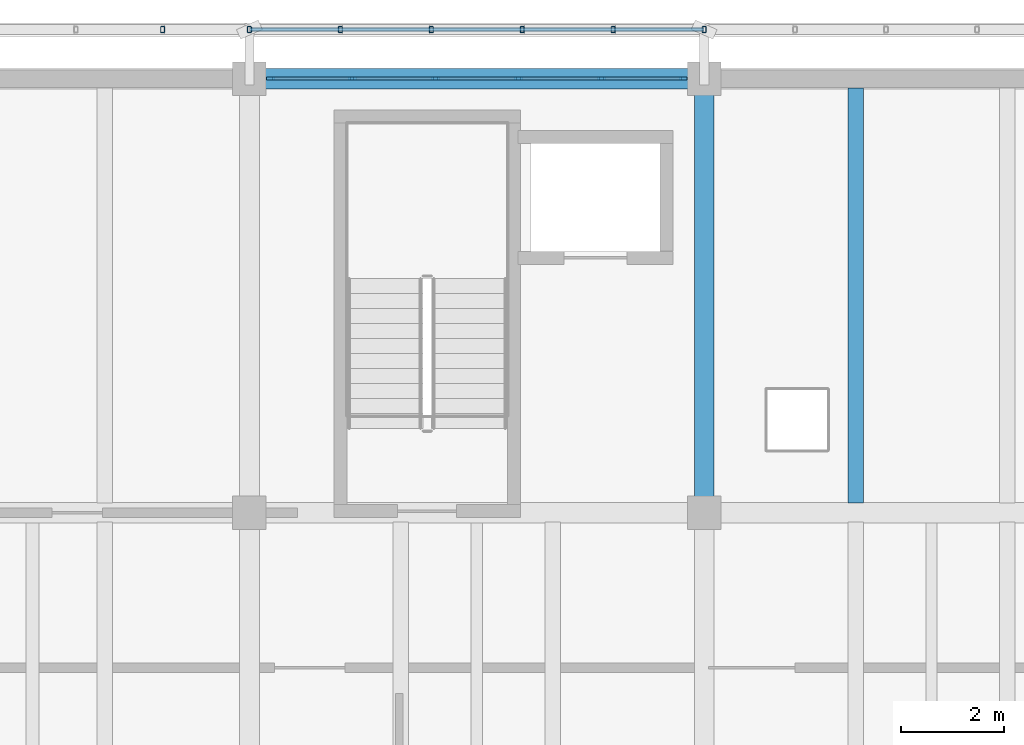
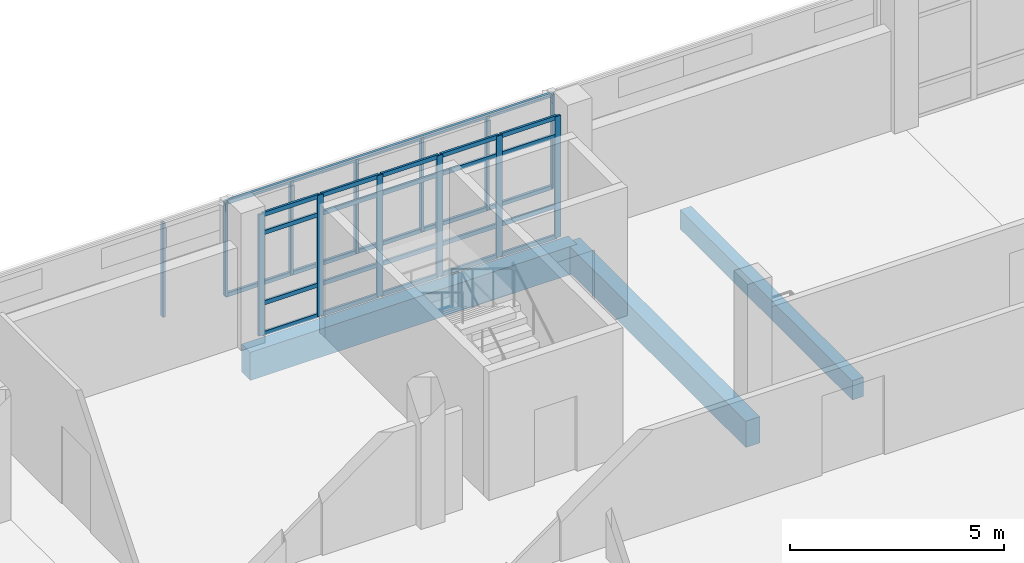
# One storey, part 63 of 117: 35 members, 3 beams, 1 element without a shape of its own.
"""IFC4 building model written with IfcOpenShell, lengths in metres."""

from ifc_helpers import new_model, si_unit, direction, frame, origin, origin_2d, place, context, subcontext, project, spatial, rectangle, hollow_rectangle, extrude, material, material_profile, profile_set, type_object, element, aggregate, save


model = new_model("IFC4")

# Units and contexts
model_context = context("Model", 3, precision=1e-05, world=origin(), true_north=direction((0.0, 1.0)))
body_context = subcontext(model_context, "Body", "Model", "MODEL_VIEW")
ifc_project = project(units=[si_unit("LENGTHUNIT", "METRE"), si_unit("AREAUNIT", "SQUARE_METRE"), si_unit("VOLUMEUNIT", "CUBIC_METRE"), si_unit("PLANEANGLEUNIT", "RADIAN"), si_unit("MASSUNIT", "GRAM", prefix="KILO")], contexts=[model_context])

# Site, building, storey
site_placement = place(None, origin())
site = spatial("IfcSite", under=ifc_project, at=site_placement, CompositionType="ELEMENT")
building_placement = place(site_placement, origin())
building = spatial("IfcBuilding", under=site, at=building_placement, Name="Cinderway Yard Community Centre", CompositionType="ELEMENT")
storey_placement = place(building_placement, frame((0.0, 0.0, 9.0)))
storey = spatial("IfcBuildingStorey", under=building, at=storey_placement, Name="L02", CompositionType="ELEMENT", Elevation=9.0)

# Curtain wall, members
ifc_material_1 = material(Name="Aluminium 6063-T6", Category="aluminium")
curtain_wall_type = type_object("IfcCurtainWallType", Name="ENV-CW-TYPE-30", PredefinedType="USERDEFINED", material=ifc_material_1)
curtain_wall_placement = place(storey_placement, origin())
curtain_wall = element("IfcCurtainWall", 1, at=curtain_wall_placement, inside=storey, type_object=curtain_wall_type, Name="V4 Street Curtain Wall ENV-CW-L02-ST-0148", ObjectType="GLAZED CURTAIN WALL", PredefinedType="USERDEFINED")
ifc_material_profile_1 = material_profile(ifc_material_1, rectangle(XDim=0.06005859375, YDim=0.159912109375, at=origin_2d()), Name="Aluminium 6063-T6")
ifc_profile_set_1 = profile_set([ifc_material_profile_1], Name="Aluminium 6063-T6")
member_type_1 = type_object("IfcMemberType", Name="ENV-CW-MULL-150", PredefinedType="MULLION", material=ifc_profile_set_1)
member_1_placement = place(storey_placement, frame((75.610107421875, 115.199951171875, 0.0), z_axis=(0.0, 0.0, 1.0), x_axis=(0.0, 1.0, 0.0)))
member_1 = element("IfcMember", 2, at=member_1_placement, type_object=member_type_1, Name="CW-30 mullion 1", PredefinedType="MULLION", context=body_context, shape_type="SweptSolid", body=[
    extrude(rectangle(XDim=0.06005859375, YDim=0.159912109375, at=origin_2d()), origin(), (0.0, 0.0, 1.0), 3.449951171875),
])
member_2_placement = place(storey_placement, frame((77.18798828125, 115.199951171875, 0.0), z_axis=(0.0, 0.0, 1.0), x_axis=(0.0, 1.0, 0.0)))
member_2 = element("IfcMember", 3, at=member_2_placement, type_object=member_type_1, Name="CW-30 mullion 2", PredefinedType="MULLION", context=body_context, shape_type="SweptSolid", body=[
    extrude(rectangle(XDim=0.06005859375, YDim=0.159912109375, at=origin_2d()), origin(), (0.0, 0.0, 1.0), 3.449951171875),
])
member_3_placement = place(storey_placement, frame((78.7958984375, 115.199951171875, 0.0), z_axis=(0.0, 0.0, 1.0), x_axis=(0.0, 1.0, 0.0)))
member_3 = element("IfcMember", 4, at=member_3_placement, type_object=member_type_1, Name="CW-30 mullion 3", PredefinedType="MULLION", context=body_context, shape_type="SweptSolid", body=[
    extrude(rectangle(XDim=0.06005859375, YDim=0.159912109375, at=origin_2d()), origin(), (0.0, 0.0, 1.0), 3.449951171875),
])
member_4_placement = place(storey_placement, frame((80.404052734375, 115.199951171875, 0.0), z_axis=(0.0, 0.0, 1.0), x_axis=(0.0, 1.0, 0.0)))
member_4 = element("IfcMember", 5, at=member_4_placement, type_object=member_type_1, Name="CW-30 mullion 4", PredefinedType="MULLION", context=body_context, shape_type="SweptSolid", body=[
    extrude(rectangle(XDim=0.06005859375, YDim=0.159912109375, at=origin_2d()), origin(), (0.0, 0.0, 1.0), 3.449951171875),
])
member_5_placement = place(storey_placement, frame((82.011962890625, 115.199951171875, 0.0), z_axis=(0.0, 0.0, 1.0), x_axis=(0.0, 1.0, 0.0)))
member_5 = element("IfcMember", 6, at=member_5_placement, type_object=member_type_1, Name="CW-30 mullion 5", PredefinedType="MULLION", context=body_context, shape_type="SweptSolid", body=[
    extrude(rectangle(XDim=0.06005859375, YDim=0.159912109375, at=origin_2d()), origin(), (0.0, 0.0, 1.0), 3.449951171875),
])
member_6_placement = place(storey_placement, frame((83.590087890625, 115.199951171875, 0.0), z_axis=(0.0, 0.0, 1.0), x_axis=(0.0, 1.0, 0.0)))
member_6 = element("IfcMember", 7, at=member_6_placement, type_object=member_type_1, Name="CW-30 mullion 6", PredefinedType="MULLION", context=body_context, shape_type="SweptSolid", body=[
    extrude(rectangle(XDim=0.06005859375, YDim=0.159912109375, at=origin_2d()), origin(), (0.0, 0.0, 1.0), 3.449951171875),
])
ifc_material_profile_2 = material_profile(ifc_material_1, rectangle(XDim=0.06005859375, YDim=0.1201171875, at=origin_2d()), Name="Aluminium 6063-T6")
ifc_profile_set_2 = profile_set([ifc_material_profile_2], Name="Aluminium 6063-T6")
member_type_2 = type_object("IfcMemberType", Name="ENV-CW-TRAN-110", PredefinedType="USERDEFINED", material=ifc_profile_set_2)
member_7_placement = place(storey_placement, frame((75.639892578125, 115.199951171875, 0.030029296875), z_axis=(1.0, 0.0, 0.0), x_axis=(0.0, 1.0, 0.0)))
member_7 = element("IfcMember", 8, at=member_7_placement, type_object=member_type_2, Name="CW-30 transom 1.1", ObjectType="TRANSOM", PredefinedType="USERDEFINED", context=body_context, shape_type="SweptSolid", body=[
    extrude(rectangle(XDim=0.06005859375, YDim=0.1201171875, at=origin_2d()), origin(), (0.0, 0.0, 1.0), 1.51806640625),
])
member_8_placement = place(storey_placement, frame((75.639892578125, 115.199951171875, 0.89990234375), z_axis=(1.0, 0.0, 0.0), x_axis=(0.0, 1.0, 0.0)))
member_8 = element("IfcMember", 9, at=member_8_placement, type_object=member_type_2, Name="CW-30 transom 1.2", ObjectType="TRANSOM", PredefinedType="USERDEFINED", context=body_context, shape_type="SweptSolid", body=[
    extrude(rectangle(XDim=0.06005859375, YDim=0.1201171875, at=origin_2d()), origin(), (0.0, 0.0, 1.0), 1.51806640625),
])
member_9_placement = place(storey_placement, frame((75.639892578125, 115.199951171875, 2.89990234375), z_axis=(1.0, 0.0, 0.0), x_axis=(0.0, 1.0, 0.0)))
member_9 = element("IfcMember", 10, at=member_9_placement, type_object=member_type_2, Name="CW-30 transom 1.3", ObjectType="TRANSOM", PredefinedType="USERDEFINED", context=body_context, shape_type="SweptSolid", body=[
    extrude(rectangle(XDim=0.06005859375, YDim=0.1201171875, at=origin_2d()), origin(), (0.0, 0.0, 1.0), 1.51806640625),
])
member_10_placement = place(storey_placement, frame((75.639892578125, 115.199951171875, 3.419921875), z_axis=(1.0, 0.0, 0.0), x_axis=(0.0, 1.0, 0.0)))
member_10 = element("IfcMember", 11, at=member_10_placement, type_object=member_type_2, Name="CW-30 transom 1.4", ObjectType="TRANSOM", PredefinedType="USERDEFINED", context=body_context, shape_type="SweptSolid", body=[
    extrude(rectangle(XDim=0.06005859375, YDim=0.1201171875, at=origin_2d()), origin(), (0.0, 0.0, 1.0), 1.51806640625),
])
member_11_placement = place(storey_placement, frame((77.218017578125, 115.199951171875, 0.030029296875), z_axis=(1.0, 0.0, 0.0), x_axis=(0.0, 1.0, 0.0)))
member_11 = element("IfcMember", 12, at=member_11_placement, type_object=member_type_2, Name="CW-30 transom 2.1", ObjectType="TRANSOM", PredefinedType="USERDEFINED", context=body_context, shape_type="SweptSolid", body=[
    extrude(rectangle(XDim=0.06005859375, YDim=0.1201171875, at=origin_2d()), origin(), (0.0, 0.0, 1.0), 1.548095703125),
])
member_12_placement = place(storey_placement, frame((77.218017578125, 115.199951171875, 0.89990234375), z_axis=(1.0, 0.0, 0.0), x_axis=(0.0, 1.0, 0.0)))
member_12 = element("IfcMember", 13, at=member_12_placement, type_object=member_type_2, Name="CW-30 transom 2.2", ObjectType="TRANSOM", PredefinedType="USERDEFINED", context=body_context, shape_type="SweptSolid", body=[
    extrude(rectangle(XDim=0.06005859375, YDim=0.1201171875, at=origin_2d()), origin(), (0.0, 0.0, 1.0), 1.548095703125),
])
member_13_placement = place(storey_placement, frame((77.218017578125, 115.199951171875, 2.89990234375), z_axis=(1.0, 0.0, 0.0), x_axis=(0.0, 1.0, 0.0)))
member_13 = element("IfcMember", 14, at=member_13_placement, type_object=member_type_2, Name="CW-30 transom 2.3", ObjectType="TRANSOM", PredefinedType="USERDEFINED", context=body_context, shape_type="SweptSolid", body=[
    extrude(rectangle(XDim=0.06005859375, YDim=0.1201171875, at=origin_2d()), origin(), (0.0, 0.0, 1.0), 1.548095703125),
])
member_14_placement = place(storey_placement, frame((77.218017578125, 115.199951171875, 3.419921875), z_axis=(1.0, 0.0, 0.0), x_axis=(0.0, 1.0, 0.0)))
member_14 = element("IfcMember", 15, at=member_14_placement, type_object=member_type_2, Name="CW-30 transom 2.4", ObjectType="TRANSOM", PredefinedType="USERDEFINED", context=body_context, shape_type="SweptSolid", body=[
    extrude(rectangle(XDim=0.06005859375, YDim=0.1201171875, at=origin_2d()), origin(), (0.0, 0.0, 1.0), 1.548095703125),
])
member_15_placement = place(storey_placement, frame((78.825927734375, 115.199951171875, 0.030029296875), z_axis=(1.0, 0.0, 0.0), x_axis=(0.0, 1.0, 0.0)))
member_15 = element("IfcMember", 16, at=member_15_placement, type_object=member_type_2, Name="CW-30 transom 3.1", ObjectType="TRANSOM", PredefinedType="USERDEFINED", context=body_context, shape_type="SweptSolid", body=[
    extrude(rectangle(XDim=0.06005859375, YDim=0.1201171875, at=origin_2d()), origin(), (0.0, 0.0, 1.0), 1.548095703125),
])
member_16_placement = place(storey_placement, frame((78.825927734375, 115.199951171875, 0.89990234375), z_axis=(1.0, 0.0, 0.0), x_axis=(0.0, 1.0, 0.0)))
member_16 = element("IfcMember", 17, at=member_16_placement, type_object=member_type_2, Name="CW-30 transom 3.2", ObjectType="TRANSOM", PredefinedType="USERDEFINED", context=body_context, shape_type="SweptSolid", body=[
    extrude(rectangle(XDim=0.06005859375, YDim=0.1201171875, at=origin_2d()), origin(), (0.0, 0.0, 1.0), 1.548095703125),
])
member_17_placement = place(storey_placement, frame((78.825927734375, 115.199951171875, 2.89990234375), z_axis=(1.0, 0.0, 0.0), x_axis=(0.0, 1.0, 0.0)))
member_17 = element("IfcMember", 18, at=member_17_placement, type_object=member_type_2, Name="CW-30 transom 3.3", ObjectType="TRANSOM", PredefinedType="USERDEFINED", context=body_context, shape_type="SweptSolid", body=[
    extrude(rectangle(XDim=0.06005859375, YDim=0.1201171875, at=origin_2d()), origin(), (0.0, 0.0, 1.0), 1.548095703125),
])
member_18_placement = place(storey_placement, frame((78.825927734375, 115.199951171875, 3.419921875), z_axis=(1.0, 0.0, 0.0), x_axis=(0.0, 1.0, 0.0)))
member_18 = element("IfcMember", 19, at=member_18_placement, type_object=member_type_2, Name="CW-30 transom 3.4", ObjectType="TRANSOM", PredefinedType="USERDEFINED", context=body_context, shape_type="SweptSolid", body=[
    extrude(rectangle(XDim=0.06005859375, YDim=0.1201171875, at=origin_2d()), origin(), (0.0, 0.0, 1.0), 1.548095703125),
])
member_19_placement = place(storey_placement, frame((80.43408203125, 115.199951171875, 0.030029296875), z_axis=(1.0, 0.0, 0.0), x_axis=(0.0, 1.0, 0.0)))
member_19 = element("IfcMember", 20, at=member_19_placement, type_object=member_type_2, Name="CW-30 transom 4.1", ObjectType="TRANSOM", PredefinedType="USERDEFINED", context=body_context, shape_type="SweptSolid", body=[
    extrude(rectangle(XDim=0.06005859375, YDim=0.1201171875, at=origin_2d()), origin(), (0.0, 0.0, 1.0), 1.5478515625),
])
member_20_placement = place(storey_placement, frame((80.43408203125, 115.199951171875, 0.89990234375), z_axis=(1.0, 0.0, 0.0), x_axis=(0.0, 1.0, 0.0)))
member_20 = element("IfcMember", 21, at=member_20_placement, type_object=member_type_2, Name="CW-30 transom 4.2", ObjectType="TRANSOM", PredefinedType="USERDEFINED", context=body_context, shape_type="SweptSolid", body=[
    extrude(rectangle(XDim=0.06005859375, YDim=0.1201171875, at=origin_2d()), origin(), (0.0, 0.0, 1.0), 1.5478515625),
])
member_21_placement = place(storey_placement, frame((80.43408203125, 115.199951171875, 2.89990234375), z_axis=(1.0, 0.0, 0.0), x_axis=(0.0, 1.0, 0.0)))
member_21 = element("IfcMember", 22, at=member_21_placement, type_object=member_type_2, Name="CW-30 transom 4.3", ObjectType="TRANSOM", PredefinedType="USERDEFINED", context=body_context, shape_type="SweptSolid", body=[
    extrude(rectangle(XDim=0.06005859375, YDim=0.1201171875, at=origin_2d()), origin(), (0.0, 0.0, 1.0), 1.5478515625),
])
member_22_placement = place(storey_placement, frame((80.43408203125, 115.199951171875, 3.419921875), z_axis=(1.0, 0.0, 0.0), x_axis=(0.0, 1.0, 0.0)))
member_22 = element("IfcMember", 23, at=member_22_placement, type_object=member_type_2, Name="CW-30 transom 4.4", ObjectType="TRANSOM", PredefinedType="USERDEFINED", context=body_context, shape_type="SweptSolid", body=[
    extrude(rectangle(XDim=0.06005859375, YDim=0.1201171875, at=origin_2d()), origin(), (0.0, 0.0, 1.0), 1.5478515625),
])
member_23_placement = place(storey_placement, frame((82.0419921875, 115.199951171875, 0.030029296875), z_axis=(1.0, 0.0, 0.0), x_axis=(0.0, 1.0, 0.0)))
member_23 = element("IfcMember", 24, at=member_23_placement, type_object=member_type_2, Name="CW-30 transom 5.1", ObjectType="TRANSOM", PredefinedType="USERDEFINED", context=body_context, shape_type="SweptSolid", body=[
    extrude(rectangle(XDim=0.06005859375, YDim=0.1201171875, at=origin_2d()), origin(), (0.0, 0.0, 1.0), 1.51806640625),
])
member_24_placement = place(storey_placement, frame((82.0419921875, 115.199951171875, 0.89990234375), z_axis=(1.0, 0.0, 0.0), x_axis=(0.0, 1.0, 0.0)))
member_24 = element("IfcMember", 25, at=member_24_placement, type_object=member_type_2, Name="CW-30 transom 5.2", ObjectType="TRANSOM", PredefinedType="USERDEFINED", context=body_context, shape_type="SweptSolid", body=[
    extrude(rectangle(XDim=0.06005859375, YDim=0.1201171875, at=origin_2d()), origin(), (0.0, 0.0, 1.0), 1.51806640625),
])
member_25_placement = place(storey_placement, frame((82.0419921875, 115.199951171875, 2.89990234375), z_axis=(1.0, 0.0, 0.0), x_axis=(0.0, 1.0, 0.0)))
member_25 = element("IfcMember", 26, at=member_25_placement, type_object=member_type_2, Name="CW-30 transom 5.3", ObjectType="TRANSOM", PredefinedType="USERDEFINED", context=body_context, shape_type="SweptSolid", body=[
    extrude(rectangle(XDim=0.06005859375, YDim=0.1201171875, at=origin_2d()), origin(), (0.0, 0.0, 1.0), 1.51806640625),
])
member_26_placement = place(storey_placement, frame((82.0419921875, 115.199951171875, 3.419921875), z_axis=(1.0, 0.0, 0.0), x_axis=(0.0, 1.0, 0.0)))
member_26 = element("IfcMember", 27, at=member_26_placement, type_object=member_type_2, Name="CW-30 transom 5.4", ObjectType="TRANSOM", PredefinedType="USERDEFINED", context=body_context, shape_type="SweptSolid", body=[
    extrude(rectangle(XDim=0.06005859375, YDim=0.1201171875, at=origin_2d()), origin(), (0.0, 0.0, 1.0), 1.51806640625),
])
aggregate(curtain_wall, [member_1, member_2, member_3, member_4, member_5, member_6, member_7, member_8, member_9, member_10, member_11, member_12, member_13, member_14, member_15, member_16, member_17, member_18, member_19, member_20, member_21, member_22, member_23, member_24, member_25, member_26])

# Members
ifc_material_2 = material(Name="Steel S355", Category="steel")
ifc_material_profile_3 = material_profile(ifc_material_2, hollow_rectangle(XDim=0.080078125, YDim=0.1201171875, WallThickness=0.00634765625, InnerFilletRadius=0.00634765625, OuterFilletRadius=0.0126953125, at=origin_2d()), Name="Steel S355")
ifc_profile_set_3 = profile_set([ifc_material_profile_3], Name="Steel S355")
member_type_3 = type_object("IfcMemberType", Name="ENV-MEM-SCREEN-RAIL-120", PredefinedType="STRINGER", material=ifc_profile_set_3)
for number, where, z_axis, x_axis, name in (
    (28, (73.52001953125, 116.14990234375, 0.68994140625), (0.0, 0.0, 1.0), (1.0, 0.0, 0.0), "Screen vertical mullion 0128"),
    (29, (75.199951171875, 116.14990234375, 0.68994140625), (0.0, 0.0, 1.0), (1.0, 0.0, 0.0), "Screen vertical mullion 0129"),
):
    element("IfcMember", number, at=place(storey_placement, frame(where, z_axis=z_axis, x_axis=x_axis)), inside=storey, type_object=member_type_3, Name=name, PredefinedType="STRINGER", context=body_context, shape_type="SweptSolid", body=[
        extrude(hollow_rectangle(XDim=0.080078125, YDim=0.1201171875, WallThickness=0.00634765625, InnerFilletRadius=0.00634765625, OuterFilletRadius=0.0126953125, at=origin_2d()), origin(), (0.0, 0.0, 1.0), 2.670166015625),
    ])
for number, where, z_axis, x_axis, name in (
    (30, (75.199951171875, 116.14990234375, 0.7099609375), (1.0, 0.0, 0.0), (0.0, 1.0, 0.0), "Screen support rail 0131-BOT"),
    (31, (75.199951171875, 116.14990234375, 3.340087890625), (1.0, 0.0, 0.0), (0.0, 1.0, 0.0), "Screen support rail 0132-TOP"),
):
    element("IfcMember", number, at=place(storey_placement, frame(where, z_axis=z_axis, x_axis=x_axis)), inside=storey, type_object=member_type_3, Name=name, PredefinedType="STRINGER", context=body_context, shape_type="SweptSolid", body=[
        extrude(hollow_rectangle(XDim=0.080078125, YDim=0.1201171875, WallThickness=0.00634765625, InnerFilletRadius=0.00634765625, OuterFilletRadius=0.0126953125, at=origin_2d()), origin(), (0.0, 0.0, 1.0), 8.800048828125),
    ])
for number, where, z_axis, x_axis, name in (
    (32, (76.9599609375, 116.14990234375, 0.68994140625), (0.0, 0.0, 1.0), (1.0, 0.0, 0.0), "Screen vertical mullion 0133"),
    (33, (78.719970703125, 116.14990234375, 0.68994140625), (0.0, 0.0, 1.0), (1.0, 0.0, 0.0), "Screen vertical mullion 0134"),
    (34, (80.47998046875, 116.14990234375, 0.68994140625), (0.0, 0.0, 1.0), (1.0, 0.0, 0.0), "Screen vertical mullion 0135"),
    (35, (82.239990234375, 116.14990234375, 0.68994140625), (0.0, 0.0, 1.0), (1.0, 0.0, 0.0), "Screen vertical mullion 0136"),
    (36, (84.0, 116.14990234375, 0.68994140625), (0.0, 0.0, 1.0), (1.0, 0.0, 0.0), "Screen vertical mullion 0137"),
):
    element("IfcMember", number, at=place(storey_placement, frame(where, z_axis=z_axis, x_axis=x_axis)), inside=storey, type_object=member_type_3, Name=name, PredefinedType="STRINGER", context=body_context, shape_type="SweptSolid", body=[
        extrude(hollow_rectangle(XDim=0.080078125, YDim=0.1201171875, WallThickness=0.00634765625, InnerFilletRadius=0.00634765625, OuterFilletRadius=0.0126953125, at=origin_2d()), origin(), (0.0, 0.0, 1.0), 2.670166015625),
    ])

# Beams
ifc_material_3 = material(Name="Concrete C35/45", Category="concrete")
ifc_material_profile_4 = material_profile(ifc_material_3, rectangle(XDim=0.300048828125, YDim=0.550048828125, at=origin_2d()), Name="Concrete C35/45")
ifc_profile_set_4 = profile_set([ifc_material_profile_4], Name="Concrete C35/45")
beam_type_1 = type_object("IfcBeamType", Name="STR-BM-RC300X550", PredefinedType="JOIST", material=ifc_profile_set_4)
beam_1_placement = place(storey_placement, frame((86.93310546875, 106.98193359375, -0.514892578125), z_axis=(0.0, 1.0, 0.0), x_axis=(-1.0, 0.0, 0.0)))
element("IfcBeam", 37, at=beam_1_placement, inside=storey, type_object=beam_type_1, Name="Secondary joist STR-BM-L02-BJ03-0613", PredefinedType="JOIST", context=body_context, shape_type="SweptSolid", body=[
    extrude(rectangle(XDim=0.300048828125, YDim=0.550048828125, at=origin_2d()), origin(), (0.0, 0.0, 1.0), 8.0361328125),
])
ifc_material_profile_5 = material_profile(ifc_material_3, rectangle(XDim=0.3798828125, YDim=0.75, at=origin_2d()), Name="Concrete C35/45")
ifc_profile_set_5 = profile_set([ifc_material_profile_5], Name="Concrete C35/45")
beam_type_2 = type_object("IfcBeamType", Name="STR-BM-RC380X750", PredefinedType="BEAM", material=ifc_profile_set_5)
beam_2_placement = place(storey_placement, frame((84.0, 106.800048828125, -0.614990234375), z_axis=(0.0, 1.0, 0.0), x_axis=(-1.0, 0.0, 0.0)))
element("IfcBeam", 38, at=beam_2_placement, inside=storey, type_object=beam_type_2, Name="Transverse girder STR-BM-L02-BG06-0561", PredefinedType="BEAM", context=body_context, shape_type="SweptSolid", body=[
    extrude(rectangle(XDim=0.3798828125, YDim=0.75, at=origin_2d()), origin(), (0.0, 0.0, 1.0), 8.39990234375),
])
ifc_material_4 = material(Name="Concrete C40/50", Category="concrete")
ifc_material_profile_6 = material_profile(ifc_material_4, rectangle(XDim=0.39990234375, YDim=0.800048828125, at=origin_2d()), Name="Concrete C40/50")
ifc_profile_set_6 = profile_set([ifc_material_profile_6], Name="Concrete C40/50")
beam_type_3 = type_object("IfcBeamType", Name="STR-BM-RC400X800", PredefinedType="BEAM", material=ifc_profile_set_6)
beam_3_placement = place(storey_placement, frame((75.199951171875, 115.199951171875, -0.639892578125), z_axis=(1.0, 0.0, 0.0), x_axis=(0.0, 1.0, 0.0)))
element("IfcBeam", 39, at=beam_3_placement, inside=storey, type_object=beam_type_3, Name="Primary girder STR-BM-L02-BG05-0536", PredefinedType="BEAM", context=body_context, shape_type="SweptSolid", body=[
    extrude(rectangle(XDim=0.39990234375, YDim=0.800048828125, at=origin_2d()), origin(), (0.0, 0.0, 1.0), 8.800048828125),
])

save(model, "model.ifc")
